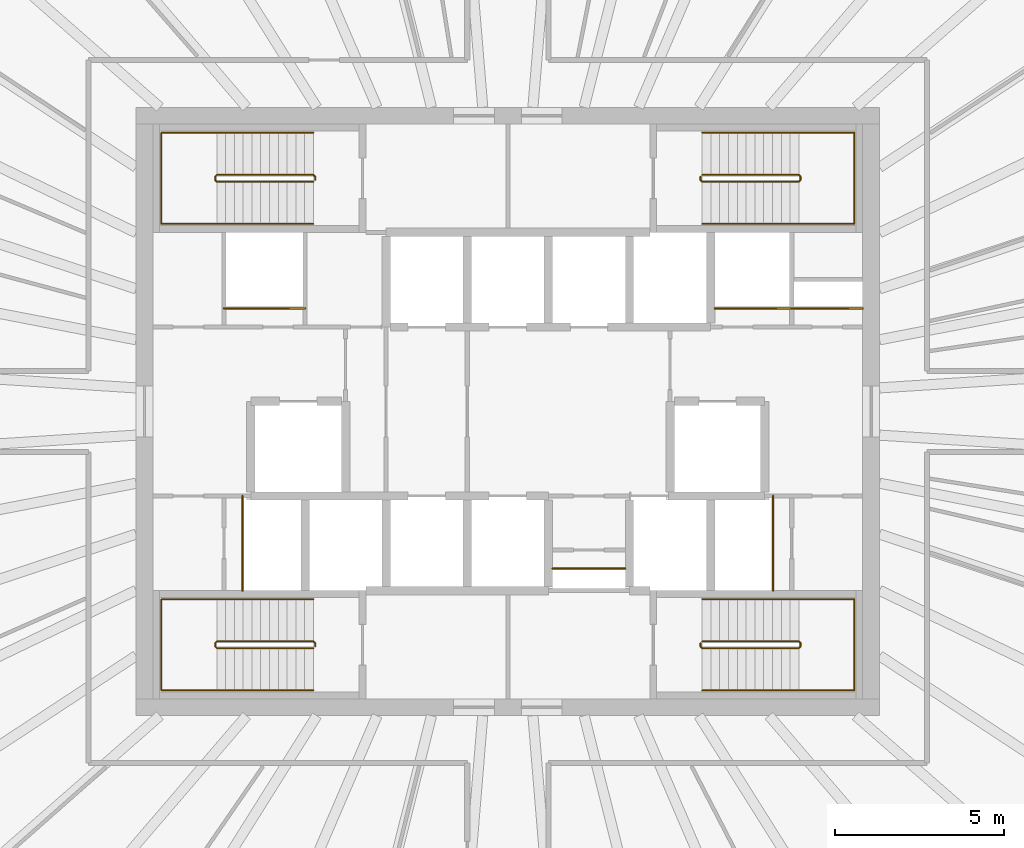
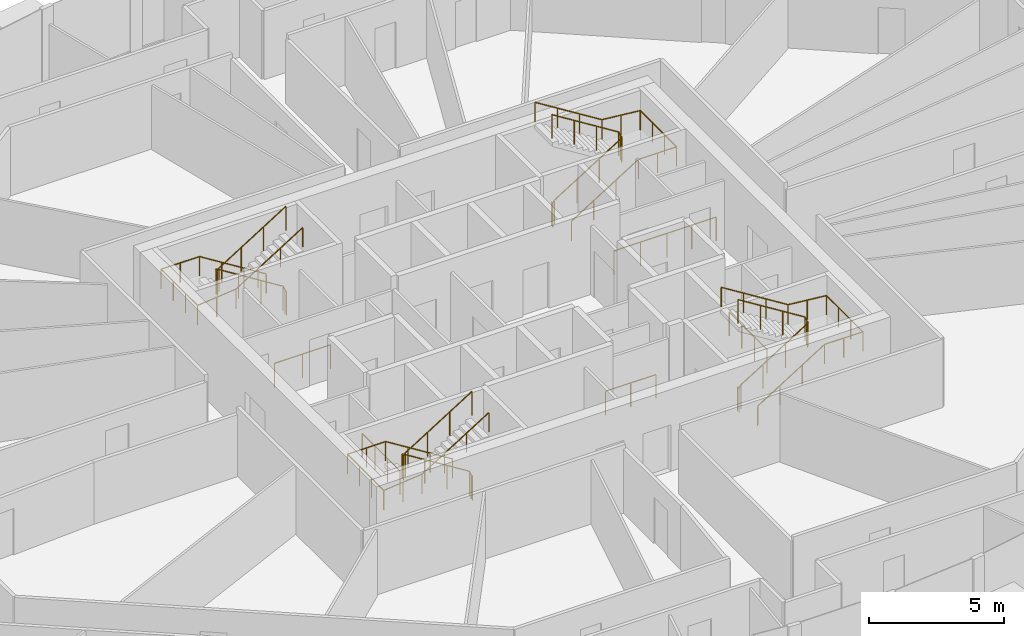
# One storey, part 12 of 12: 14 railings.
"""IFC4 building model written with IfcOpenShell, lengths in metres."""

from ifc_helpers import new_model, si_unit, direction, frame, origin, origin_2d, place, context, subcontext, project, spatial, circle, extrude, source, transform, mapped, material, type_object, element, save


model = new_model("IFC4")

# Units and contexts
model_context = context("Model", 3, precision=1e-05, world=origin(), true_north=direction((0.0, 1.0)))
body_context = subcontext(model_context, "Body", "Model", "MODEL_VIEW")
ifc_project = project(units=[si_unit("LENGTHUNIT", "METRE"), si_unit("AREAUNIT", "SQUARE_METRE"), si_unit("VOLUMEUNIT", "CUBIC_METRE"), si_unit("PLANEANGLEUNIT", "RADIAN"), si_unit("MASSUNIT", "GRAM", prefix="KILO")], contexts=[model_context])

# Site, building, storey
site_placement = place(None, origin())
site = spatial("IfcSite", under=ifc_project, at=site_placement, CompositionType="ELEMENT")
building_placement = place(site_placement, origin())
building = spatial("IfcBuilding", under=site, at=building_placement, Name="Embergate Tower", CompositionType="ELEMENT")
storey_placement = place(building_placement, frame((0.0, 0.0, 253.89990234375)))
storey = spatial("IfcBuildingStorey", under=building, at=storey_placement, Name="L58", CompositionType="ELEMENT", Elevation=253.89990234375)

# Railings
ifc_material_1 = material(Name="Stair guard 1100")
railing_type_1 = type_object("IfcRailingType", Name="Stair guard 1100", PredefinedType="GUARDRAIL", material=ifc_material_1)
shared_shape_1 = source(origin(), body_context, "Body", "SweptSolid", [
    extrude(circle(Radius=0.02392578125, at=origin_2d()), frame((0.0, 0.0, 1.076171875), z_axis=(0.0, 1.0, 0.0), x_axis=(-1.0, 0.0, 0.0)), (0.0, 0.0, 1.0), 0.099853515625),
    extrude(circle(Radius=0.02392578125, at=origin_2d()), frame((0.0, 0.099853515625, 1.076171875), z_axis=(-0.282227285176, 0.282227285176, 0.916894497205), x_axis=(-0.707106781187, -0.707106781187, 0.0)), (0.0, 0.0, 1.0), 0.17724609375),
    extrude(circle(Radius=0.02392578125, at=origin_2d()), frame((-0.050048828125, 0.14990234375, 1.23876953125), z_axis=(-0.847994237388, 0.0, 0.530005446535), x_axis=(0.0, -1.0, 0.0)), (0.0, 0.0, 1.0), 3.372802734375),
    extrude(circle(Radius=0.02392578125, at=origin_2d()), frame((-2.91015625, 0.14990234375, 3.0263671875), z_axis=(-0.705375805398, -0.708833529934, 0.0), x_axis=(0.708833529934, -0.705375805398, 0.0)), (0.0, 0.0, 1.0), 0.070556640625),
    extrude(circle(Radius=0.02392578125, at=origin_2d()), frame((-2.9599609375, 0.099853515625, 3.0263671875), z_axis=(0.0, -1.0, 0.0), x_axis=(1.0, 0.0, 0.0)), (0.0, 0.0, 1.0), 0.099853515625),
    extrude(circle(Radius=0.02392578125, at=origin_2d()), frame((-2.9599609375, 0.0, 3.0263671875), z_axis=(0.281314826061, -0.282693820306, 0.917031173188), x_axis=(0.708833529934, 0.705375805398, 0.0)), (0.0, 0.0, 1.0), 0.177001953125),
    extrude(circle(Radius=0.02392578125, at=origin_2d()), frame((-2.91015625, -0.050048828125, 3.1884765625), z_axis=(0.847994237388, 0.0, 0.530005446535), x_axis=(0.0, 1.0, 0.0)), (0.0, 0.0, 1.0), 3.372802734375),
    extrude(circle(Radius=0.02099609375, at=origin_2d()), origin(), (0.0, 0.0, 1.0), 1.052001953125),
    extrude(circle(Radius=0.02099609375, at=origin_2d()), frame((0.0, 0.099853515625, 0.0)), (0.0, 0.0, 1.0), 1.052001953125),
    extrude(circle(Radius=0.02099609375, at=origin_2d()), frame((-0.050048828125, 0.14990234375, 0.16259765625)), (0.0, 0.0, 1.0), 1.052001953125),
    extrude(circle(Radius=0.02099609375, at=origin_2d()), frame((-1.00341796875, 0.14990234375, 0.758544921875)), (0.0, 0.0, 1.0), 1.052001953125),
    extrude(circle(Radius=0.02099609375, at=origin_2d()), frame((-1.956787109375, 0.14990234375, 1.354248046875)), (0.0, 0.0, 1.0), 1.052001953125),
    extrude(circle(Radius=0.02099609375, at=origin_2d()), frame((-2.91015625, 0.14990234375, 1.9501953125)), (0.0, 0.0, 1.0), 1.052001953125),
    extrude(circle(Radius=0.02099609375, at=origin_2d()), frame((-2.9599609375, 0.099853515625, 1.9501953125)), (0.0, 0.0, 1.0), 1.052001953125),
    extrude(circle(Radius=0.02099609375, at=origin_2d()), frame((-2.9599609375, 0.0, 1.9501953125)), (0.0, 0.0, 1.0), 1.052001953125),
    extrude(circle(Radius=0.02099609375, at=origin_2d()), frame((-2.91015625, -0.050048828125, 2.112548828125)), (0.0, 0.0, 1.0), 1.052001953125),
    extrude(circle(Radius=0.02099609375, at=origin_2d()), frame((-1.956787109375, -0.050048828125, 2.70849609375)), (0.0, 0.0, 1.0), 1.052001953125),
    extrude(circle(Radius=0.02099609375, at=origin_2d()), frame((-1.00341796875, -0.050048828125, 3.30419921875)), (0.0, 0.0, 1.0), 1.052001953125),
    extrude(circle(Radius=0.02099609375, at=origin_2d()), frame((-0.050048828125, -0.050048828125, 3.900146484375)), (0.0, 0.0, 1.0), 1.052001953125),
])
for number, where, name in (
    (1, (-5.699951171875, 6.85009765625, 0.0), "L58 ST1 stair guard 1"),
    (2, (-5.699951171875, -6.949951171875, 0.0), "L58 ST3 stair guard 1"),
):
    element("IfcRailing", number, at=place(storey_placement, frame(where)), inside=storey, type_object=railing_type_1, Name=name, PredefinedType="GUARDRAIL", context=body_context, shape_type="MappedRepresentation", body=[
        mapped(shared_shape_1, transform((0.0, 0.0, 0.0))),
    ])
ifc_material_2 = material(Name="Stair handrail 900")
railing_type_2 = type_object("IfcRailingType", Name="Stair handrail 900", PredefinedType="HANDRAIL", material=ifc_material_2)
shared_shape_2 = source(origin(), body_context, "Body", "SweptSolid", [
    extrude(circle(Radius=0.02392578125, at=origin_2d()), frame((0.0, 0.0, 0.8759765625), z_axis=(-0.847994237388, 0.0, 0.530005446535), x_axis=(0.0, -1.0, 0.0)), (0.0, 0.0, 1.0), 3.372802734375),
    extrude(circle(Radius=0.02392578125, at=origin_2d()), frame((-2.860107421875, 0.0, 2.66357421875), z_axis=(-1.0, 0.0, 0.0), x_axis=(0.0, -1.0, 0.0)), (0.0, 0.0, 1.0), 1.639892578125),
    extrude(circle(Radius=0.02392578125, at=origin_2d()), frame((-4.5, 0.0, 2.66357421875), z_axis=(0.0, -1.0, 0.0), x_axis=(1.0, 0.0, 0.0)), (0.0, 0.0, 1.0), 2.699951171875),
    extrude(circle(Radius=0.02392578125, at=origin_2d()), frame((-4.5, -2.699951171875, 2.66357421875), z_axis=(0.995134983717, 0.0, 0.098520881967), x_axis=(0.0, 1.0, 0.0)), (0.0, 0.0, 1.0), 1.64794921875),
    extrude(circle(Radius=0.02392578125, at=origin_2d()), frame((-2.860107421875, -2.699951171875, 2.82568359375), z_axis=(0.847994237388, 0.0, 0.530005446535), x_axis=(0.0, 1.0, 0.0)), (0.0, 0.0, 1.0), 3.372802734375),
    extrude(circle(Radius=0.02099609375, at=origin_2d()), origin(), (0.0, 0.0, 1.0), 0.851806640625),
    extrude(circle(Radius=0.02099609375, at=origin_2d()), frame((-0.953369140625, 0.0, 0.595947265625)), (0.0, 0.0, 1.0), 0.851806640625),
    extrude(circle(Radius=0.02099609375, at=origin_2d()), frame((-1.90673828125, 0.0, 1.191650390625)), (0.0, 0.0, 1.0), 0.851806640625),
    extrude(circle(Radius=0.02099609375, at=origin_2d()), frame((-2.860107421875, 0.0, 1.78759765625)), (0.0, 0.0, 1.0), 0.851806640625),
    extrude(circle(Radius=0.02099609375, at=origin_2d()), frame((-3.68017578125, 0.0, 1.78759765625)), (0.0, 0.0, 1.0), 0.851806640625),
    extrude(circle(Radius=0.02099609375, at=origin_2d()), frame((-4.5, 0.0, 1.78759765625)), (0.0, 0.0, 1.0), 0.851806640625),
    extrude(circle(Radius=0.02099609375, at=origin_2d()), frame((-4.5, -0.89990234375, 1.78759765625)), (0.0, 0.0, 1.0), 0.851806640625),
    extrude(circle(Radius=0.02099609375, at=origin_2d()), frame((-4.5, -1.800048828125, 1.78759765625)), (0.0, 0.0, 1.0), 0.851806640625),
    extrude(circle(Radius=0.02099609375, at=origin_2d()), frame((-4.5, -2.699951171875, 1.78759765625)), (0.0, 0.0, 1.0), 0.851806640625),
    extrude(circle(Radius=0.02099609375, at=origin_2d()), frame((-3.68017578125, -2.699951171875, 1.86865234375)), (0.0, 0.0, 1.0), 0.851806640625),
    extrude(circle(Radius=0.02099609375, at=origin_2d()), frame((-2.860107421875, -2.699951171875, 1.949951171875)), (0.0, 0.0, 1.0), 0.851806640625),
    extrude(circle(Radius=0.02099609375, at=origin_2d()), frame((-1.90673828125, -2.699951171875, 2.5458984375)), (0.0, 0.0, 1.0), 0.851806640625),
    extrude(circle(Radius=0.02099609375, at=origin_2d()), frame((-0.953369140625, -2.699951171875, 3.1416015625)), (0.0, 0.0, 1.0), 0.851806640625),
    extrude(circle(Radius=0.02099609375, at=origin_2d()), frame((0.0, -2.699951171875, 3.737548828125)), (0.0, 0.0, 1.0), 0.851806640625),
])
for number, where, name in (
    (3, (-5.75, 8.25, 0.16259765625), "L58 ST1 stair handrail 1"),
    (4, (-5.75, -5.550048828125, 0.16259765625), "L58 ST3 stair handrail 1"),
):
    element("IfcRailing", number, at=place(storey_placement, frame(where)), inside=storey, type_object=railing_type_2, Name=name, PredefinedType="HANDRAIL", context=body_context, shape_type="MappedRepresentation", body=[
        mapped(shared_shape_2, transform((0.0, 0.0, 0.0))),
    ])
shared_shape_3 = source(origin(), body_context, "Body", "SweptSolid", [
    extrude(circle(Radius=0.02392578125, at=origin_2d()), frame((0.0, 0.0, 1.076171875), z_axis=(0.0, -1.0, 0.0), x_axis=(1.0, 0.0, 0.0)), (0.0, 0.0, 1.0), 0.099853515625),
    extrude(circle(Radius=0.02392578125, at=origin_2d()), frame((0.0, -0.099853515625, 1.076171875), z_axis=(0.282227285176, -0.282227285176, 0.916894497205), x_axis=(0.707106781187, 0.707106781187, 0.0)), (0.0, 0.0, 1.0), 0.17724609375),
    extrude(circle(Radius=0.02392578125, at=origin_2d()), frame((0.050048828125, -0.14990234375, 1.23876953125), z_axis=(0.847994237388, 0.0, 0.530005446535), x_axis=(0.0, 1.0, 0.0)), (0.0, 0.0, 1.0), 3.372802734375),
    extrude(circle(Radius=0.02392578125, at=origin_2d()), frame((2.91015625, -0.14990234375, 3.0263671875), z_axis=(0.705375805398, 0.708833529934, 0.0), x_axis=(-0.708833529934, 0.705375805398, 0.0)), (0.0, 0.0, 1.0), 0.070556640625),
    extrude(circle(Radius=0.02392578125, at=origin_2d()), frame((2.9599609375, -0.099853515625, 3.0263671875), z_axis=(0.0, 1.0, 0.0), x_axis=(-1.0, 0.0, 0.0)), (0.0, 0.0, 1.0), 0.099853515625),
    extrude(circle(Radius=0.02392578125, at=origin_2d()), frame((2.9599609375, 0.0, 3.0263671875), z_axis=(-0.281314826061, 0.282693820306, 0.917031173188), x_axis=(-0.708833529934, -0.705375805398, 0.0)), (0.0, 0.0, 1.0), 0.177001953125),
    extrude(circle(Radius=0.02392578125, at=origin_2d()), frame((2.91015625, 0.050048828125, 3.1884765625), z_axis=(-0.847994237388, 0.0, 0.530005446535), x_axis=(0.0, -1.0, 0.0)), (0.0, 0.0, 1.0), 3.372802734375),
    extrude(circle(Radius=0.02099609375, at=origin_2d()), origin(), (0.0, 0.0, 1.0), 1.052001953125),
    extrude(circle(Radius=0.02099609375, at=origin_2d()), frame((0.0, -0.099853515625, 0.0)), (0.0, 0.0, 1.0), 1.052001953125),
    extrude(circle(Radius=0.02099609375, at=origin_2d()), frame((0.050048828125, -0.14990234375, 0.16259765625)), (0.0, 0.0, 1.0), 1.052001953125),
    extrude(circle(Radius=0.02099609375, at=origin_2d()), frame((1.00341796875, -0.14990234375, 0.758544921875)), (0.0, 0.0, 1.0), 1.052001953125),
    extrude(circle(Radius=0.02099609375, at=origin_2d()), frame((1.956787109375, -0.14990234375, 1.354248046875)), (0.0, 0.0, 1.0), 1.052001953125),
    extrude(circle(Radius=0.02099609375, at=origin_2d()), frame((2.91015625, -0.14990234375, 1.9501953125)), (0.0, 0.0, 1.0), 1.052001953125),
    extrude(circle(Radius=0.02099609375, at=origin_2d()), frame((2.9599609375, -0.099853515625, 1.9501953125)), (0.0, 0.0, 1.0), 1.052001953125),
    extrude(circle(Radius=0.02099609375, at=origin_2d()), frame((2.9599609375, 0.0, 1.9501953125)), (0.0, 0.0, 1.0), 1.052001953125),
    extrude(circle(Radius=0.02099609375, at=origin_2d()), frame((2.91015625, 0.050048828125, 2.112548828125)), (0.0, 0.0, 1.0), 1.052001953125),
    extrude(circle(Radius=0.02099609375, at=origin_2d()), frame((1.956787109375, 0.050048828125, 2.70849609375)), (0.0, 0.0, 1.0), 1.052001953125),
    extrude(circle(Radius=0.02099609375, at=origin_2d()), frame((1.00341796875, 0.050048828125, 3.30419921875)), (0.0, 0.0, 1.0), 1.052001953125),
    extrude(circle(Radius=0.02099609375, at=origin_2d()), frame((0.050048828125, 0.050048828125, 3.900146484375)), (0.0, 0.0, 1.0), 1.052001953125),
])
for number, where, name in (
    (5, (5.699951171875, 6.949951171875, 0.0), "L58 ST2 stair guard 1"),
    (6, (5.699951171875, -6.85009765625, 0.0), "L58 ST4 stair guard 1"),
):
    element("IfcRailing", number, at=place(storey_placement, frame(where)), inside=storey, type_object=railing_type_1, Name=name, PredefinedType="GUARDRAIL", context=body_context, shape_type="MappedRepresentation", body=[
        mapped(shared_shape_3, transform((0.0, 0.0, 0.0))),
    ])
shared_shape_4 = source(origin(), body_context, "Body", "SweptSolid", [
    extrude(circle(Radius=0.02392578125, at=origin_2d()), frame((0.0, 0.0, 0.8759765625), z_axis=(0.847994237388, 0.0, 0.530005446535), x_axis=(0.0, 1.0, 0.0)), (0.0, 0.0, 1.0), 3.372802734375),
    extrude(circle(Radius=0.02392578125, at=origin_2d()), frame((2.860107421875, 0.0, 2.66357421875), z_axis=(1.0, 0.0, 0.0), x_axis=(0.0, 1.0, 0.0)), (0.0, 0.0, 1.0), 1.639892578125),
    extrude(circle(Radius=0.02392578125, at=origin_2d()), frame((4.5, 0.0, 2.66357421875), z_axis=(0.0, 1.0, 0.0), x_axis=(-1.0, 0.0, 0.0)), (0.0, 0.0, 1.0), 2.699951171875),
    extrude(circle(Radius=0.02392578125, at=origin_2d()), frame((4.5, 2.699951171875, 2.66357421875), z_axis=(-0.995134983717, 0.0, 0.098520881967), x_axis=(0.0, -1.0, 0.0)), (0.0, 0.0, 1.0), 1.64794921875),
    extrude(circle(Radius=0.02392578125, at=origin_2d()), frame((2.860107421875, 2.699951171875, 2.82568359375), z_axis=(-0.847994237388, 0.0, 0.530005446535), x_axis=(0.0, -1.0, 0.0)), (0.0, 0.0, 1.0), 3.372802734375),
    extrude(circle(Radius=0.02099609375, at=origin_2d()), origin(), (0.0, 0.0, 1.0), 0.851806640625),
    extrude(circle(Radius=0.02099609375, at=origin_2d()), frame((0.953369140625, 0.0, 0.595947265625)), (0.0, 0.0, 1.0), 0.851806640625),
    extrude(circle(Radius=0.02099609375, at=origin_2d()), frame((1.90673828125, 0.0, 1.191650390625)), (0.0, 0.0, 1.0), 0.851806640625),
    extrude(circle(Radius=0.02099609375, at=origin_2d()), frame((2.860107421875, 0.0, 1.78759765625)), (0.0, 0.0, 1.0), 0.851806640625),
    extrude(circle(Radius=0.02099609375, at=origin_2d()), frame((3.68017578125, 0.0, 1.78759765625)), (0.0, 0.0, 1.0), 0.851806640625),
    extrude(circle(Radius=0.02099609375, at=origin_2d()), frame((4.5, 0.0, 1.78759765625)), (0.0, 0.0, 1.0), 0.851806640625),
    extrude(circle(Radius=0.02099609375, at=origin_2d()), frame((4.5, 0.89990234375, 1.78759765625)), (0.0, 0.0, 1.0), 0.851806640625),
    extrude(circle(Radius=0.02099609375, at=origin_2d()), frame((4.5, 1.800048828125, 1.78759765625)), (0.0, 0.0, 1.0), 0.851806640625),
    extrude(circle(Radius=0.02099609375, at=origin_2d()), frame((4.5, 2.699951171875, 1.78759765625)), (0.0, 0.0, 1.0), 0.851806640625),
    extrude(circle(Radius=0.02099609375, at=origin_2d()), frame((3.68017578125, 2.699951171875, 1.86865234375)), (0.0, 0.0, 1.0), 0.851806640625),
    extrude(circle(Radius=0.02099609375, at=origin_2d()), frame((2.860107421875, 2.699951171875, 1.949951171875)), (0.0, 0.0, 1.0), 0.851806640625),
    extrude(circle(Radius=0.02099609375, at=origin_2d()), frame((1.90673828125, 2.699951171875, 2.5458984375)), (0.0, 0.0, 1.0), 0.851806640625),
    extrude(circle(Radius=0.02099609375, at=origin_2d()), frame((0.953369140625, 2.699951171875, 3.1416015625)), (0.0, 0.0, 1.0), 0.851806640625),
    extrude(circle(Radius=0.02099609375, at=origin_2d()), frame((0.0, 2.699951171875, 3.737548828125)), (0.0, 0.0, 1.0), 0.851806640625),
])
for number, where, name in (
    (7, (5.75, 5.550048828125, 0.16259765625), "L58 ST2 stair handrail 1"),
    (8, (5.75, -8.25, 0.16259765625), "L58 ST4 stair handrail 1"),
):
    element("IfcRailing", number, at=place(storey_placement, frame(where)), inside=storey, type_object=railing_type_2, Name=name, PredefinedType="HANDRAIL", context=body_context, shape_type="MappedRepresentation", body=[
        mapped(shared_shape_4, transform((0.0, 0.0, 0.0))),
    ])
ifc_material_3 = material(Name="Opening guard 1100")
railing_type_3 = type_object("IfcRailingType", Name="Opening guard 1100", PredefinedType="GUARDRAIL", material=ifc_material_3)
shared_shape_5 = source(origin(), body_context, "Body", "SweptSolid", [
    extrude(circle(Radius=0.02392578125, at=origin_2d()), frame((0.0, 0.0, 1.076171875), z_axis=(1.0, 0.0, 0.0), x_axis=(0.0, 1.0, 0.0)), (0.0, 0.0, 1.0), 2.27490234375),
    extrude(circle(Radius=0.02099609375, at=origin_2d()), origin(), (0.0, 0.0, 1.0), 1.052001953125),
    extrude(circle(Radius=0.02099609375, at=origin_2d()), frame((1.137451171875, 0.0, 0.0)), (0.0, 0.0, 1.0), 1.052001953125),
    extrude(circle(Radius=0.02099609375, at=origin_2d()), frame((2.27490234375, 0.0, 0.0)), (0.0, 0.0, 1.0), 1.052001953125),
])
railing_1_placement = place(storey_placement, frame((6.125, 3.050048828125, 0.0)))
element("IfcRailing", 9, at=railing_1_placement, inside=storey, type_object=railing_type_3, Name="Riser opening guard", PredefinedType="GUARDRAIL", context=body_context, shape_type="MappedRepresentation", body=[
    mapped(shared_shape_5, transform((0.0, 0.0, 0.0))),
])
shared_shape_6 = source(origin(), body_context, "Body", "SweptSolid", [
    extrude(circle(Radius=0.02392578125, at=origin_2d()), frame((0.0, 0.0, 1.076171875), z_axis=(0.0, 1.0, 0.0), x_axis=(-1.0, 0.0, 0.0)), (0.0, 0.0, 1.0), 2.800048828125),
    extrude(circle(Radius=0.02099609375, at=origin_2d()), origin(), (0.0, 0.0, 1.0), 1.052001953125),
    extrude(circle(Radius=0.02099609375, at=origin_2d()), frame((0.0, 0.933349609375, 0.0)), (0.0, 0.0, 1.0), 1.052001953125),
    extrude(circle(Radius=0.02099609375, at=origin_2d()), frame((0.0, 1.86669921875, 0.0)), (0.0, 0.0, 1.0), 1.052001953125),
    extrude(circle(Radius=0.02099609375, at=origin_2d()), frame((0.0, 2.800048828125, 0.0)), (0.0, 0.0, 1.0), 1.052001953125),
])
for number, where, name in (
    (10, (-7.85009765625, -5.300048828125, 0.0), "Riser opening guard"),
    (11, (7.85009765625, -5.300048828125, 0.0), "Riser opening guard"),
):
    element("IfcRailing", number, at=place(storey_placement, frame(where)), inside=storey, type_object=railing_type_3, Name=name, PredefinedType="GUARDRAIL", context=body_context, shape_type="MappedRepresentation", body=[
        mapped(shared_shape_6, transform((0.0, 0.0, 0.0))),
    ])
shared_shape_7 = source(origin(), body_context, "Body", "SweptSolid", [
    extrude(circle(Radius=0.02392578125, at=origin_2d()), frame((0.0, 0.0, 1.076171875), z_axis=(1.0, 0.0, 0.0), x_axis=(0.0, 1.0, 0.0)), (0.0, 0.0, 1.0), 2.39990234375),
    extrude(circle(Radius=0.02099609375, at=origin_2d()), origin(), (0.0, 0.0, 1.0), 1.052001953125),
    extrude(circle(Radius=0.02099609375, at=origin_2d()), frame((1.199951171875, 0.0, 0.0)), (0.0, 0.0, 1.0), 1.052001953125),
    extrude(circle(Radius=0.02099609375, at=origin_2d()), frame((2.39990234375, 0.0, 0.0)), (0.0, 0.0, 1.0), 1.052001953125),
])
railing_2_placement = place(storey_placement, frame((-8.39990234375, 3.050048828125, 0.0)))
element("IfcRailing", 12, at=railing_2_placement, inside=storey, type_object=railing_type_3, Name="Riser opening guard", PredefinedType="GUARDRAIL", context=body_context, shape_type="MappedRepresentation", body=[
    mapped(shared_shape_7, transform((0.0, 0.0, 0.0))),
])
shared_shape_8 = source(origin(), body_context, "Body", "SweptSolid", [
    extrude(circle(Radius=0.02392578125, at=origin_2d()), frame((0.0, 0.0, 1.076171875), z_axis=(1.0, 0.0, 0.0), x_axis=(0.0, 1.0, 0.0)), (0.0, 0.0, 1.0), 2.10009765625),
    extrude(circle(Radius=0.02099609375, at=origin_2d()), origin(), (0.0, 0.0, 1.0), 1.052001953125),
    extrude(circle(Radius=0.02099609375, at=origin_2d()), frame((1.050048828125, 0.0, 0.0)), (0.0, 0.0, 1.0), 1.052001953125),
    extrude(circle(Radius=0.02099609375, at=origin_2d()), frame((2.10009765625, 0.0, 0.0)), (0.0, 0.0, 1.0), 1.052001953125),
])
railing_3_placement = place(storey_placement, frame((8.39990234375, 3.050048828125, 0.0)))
element("IfcRailing", 13, at=railing_3_placement, inside=storey, type_object=railing_type_3, Name="Riser opening guard", PredefinedType="GUARDRAIL", context=body_context, shape_type="MappedRepresentation", body=[
    mapped(shared_shape_8, transform((0.0, 0.0, 0.0))),
])
shared_shape_9 = source(origin(), body_context, "Body", "SweptSolid", [
    extrude(circle(Radius=0.02392578125, at=origin_2d()), frame((0.0, 0.0, 1.076171875), z_axis=(1.0, 0.0, 0.0), x_axis=(0.0, 1.0, 0.0)), (0.0, 0.0, 1.0), 2.150146484375),
    extrude(circle(Radius=0.02099609375, at=origin_2d()), origin(), (0.0, 0.0, 1.0), 1.052001953125),
    extrude(circle(Radius=0.02099609375, at=origin_2d()), frame((1.0751953125, 0.0, 0.0)), (0.0, 0.0, 1.0), 1.052001953125),
    extrude(circle(Radius=0.02099609375, at=origin_2d()), frame((2.150146484375, 0.0, 0.0)), (0.0, 0.0, 1.0), 1.052001953125),
])
railing_4_placement = place(storey_placement, frame((1.324951171875, -4.64599609375, 0.0)))
element("IfcRailing", 14, at=railing_4_placement, inside=storey, type_object=railing_type_3, Name="Riser opening guard", PredefinedType="GUARDRAIL", context=body_context, shape_type="MappedRepresentation", body=[
    mapped(shared_shape_9, transform((0.0, 0.0, 0.0))),
])

save(model, "model.ifc")
